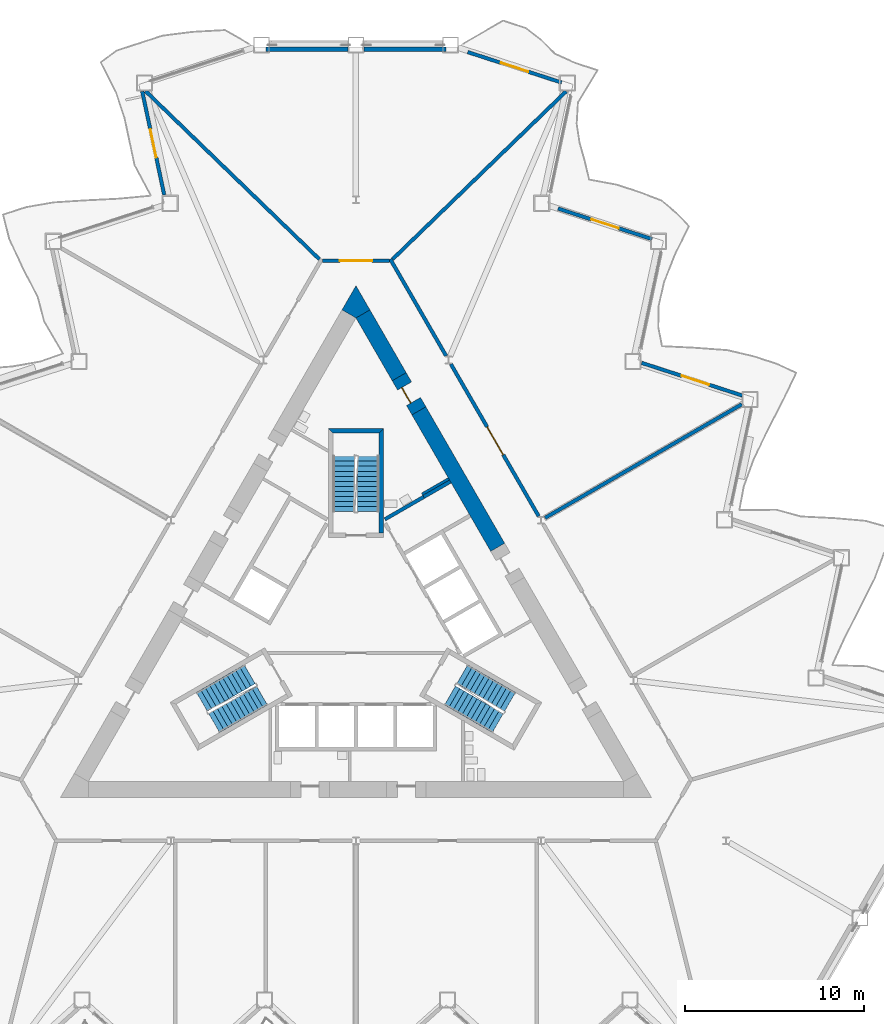
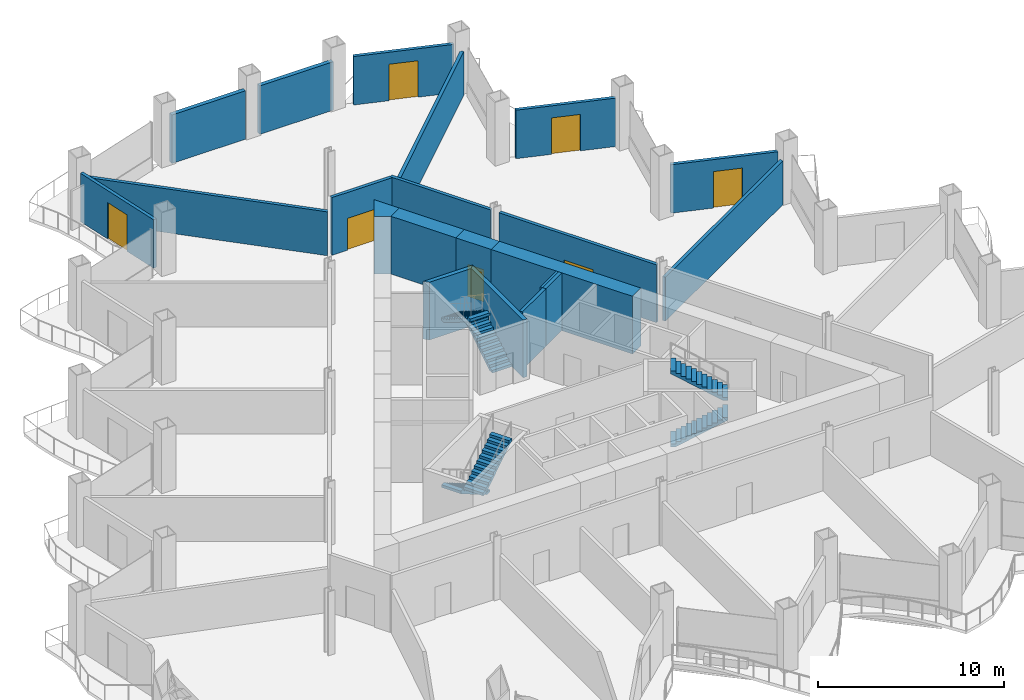
# One storey, part 13 of 21: 21 walls, 7 doors, 6 stair flights, 7 openings, 3 elements without a shape of their own.
"""IFC4 building model written with IfcOpenShell, lengths in metres."""

from ifc_helpers import new_model, si_unit, direction, frame, frame_2d, origin, place, context, subcontext, project, spatial, polyline, rectangle, outline, extrude, material, layer, layer_set, type_object, element, fill, aggregate, save


model = new_model("IFC4")

# Units and contexts
model_context = context("Model", 3, precision=1e-05, world=origin(), true_north=direction((0.0, 1.0)))
body_context = subcontext(model_context, "Body", "Model", "MODEL_VIEW")
ifc_project = project(units=[si_unit("LENGTHUNIT", "METRE"), si_unit("AREAUNIT", "SQUARE_METRE"), si_unit("VOLUMEUNIT", "CUBIC_METRE"), si_unit("PLANEANGLEUNIT", "RADIAN"), si_unit("MASSUNIT", "GRAM", prefix="KILO")], contexts=[model_context])

# Site, building, storey
site_placement = place(None, origin())
site = spatial("IfcSite", under=ifc_project, at=site_placement, CompositionType="ELEMENT")
building_placement = place(site_placement, origin())
building = spatial("IfcBuilding", under=site, at=building_placement, Name="Cormorant Prow Tower", CompositionType="ELEMENT")
storey_placement = place(building_placement, frame((0.0, 0.0, 133.199951171875)))
storey = spatial("IfcBuildingStorey", under=building, at=storey_placement, Name="L28", CompositionType="ELEMENT", Elevation=133.199951171875)

# Walls
ifc_material_1 = material(Name="Gypsum board partition")
ifc_layer_1 = layer(ifc_material_1, 0.14990234375)
ifc_layer_set_1 = layer_set([ifc_layer_1], Name="Gypsum board partition")
wall_type_1 = type_object("IfcWallType", Name="Core partition 150", PredefinedType="PARTITIONING", material=ifc_layer_set_1)
wall_1_placement = place(storey_placement, frame((3.693359375, 7.4150390625, 0.0), z_axis=(0.0, 0.0, 1.0), x_axis=(0.866024871741, 0.500000921525, 0.0)))
element("IfcWall", 1, at=wall_1_placement, inside=storey, type_object=wall_type_1, Name="Service room partition", PredefinedType="PARTITIONING", context=body_context, shape_type="SweptSolid", body=[
    extrude(rectangle(XDim=1.72021484375, YDim=0.14990234375, at=frame_2d((0.860107421875, 0.0))), origin(), (0.0, 0.0, 1.0), 3.800048828125),
])
ifc_material_2 = material(Name="Concrete 8000 psi", Category="concrete")
ifc_layer_2 = layer(ifc_material_2, 0.89990234375)
ifc_layer_set_2 = layer_set([ifc_layer_2], Name="Concrete 8000 psi")
wall_type_2 = type_object("IfcWallType", Name="Core shear wall 900", PredefinedType="SHEAR", material=ifc_layer_set_2)
wall_2_placement = place(storey_placement, frame((7.910400390625, 4.451416015625, 0.0), z_axis=(0.0, 0.0, 1.0), x_axis=(-0.500001962043, 0.866024270995, 0.0)))
element("IfcWall", 2, at=wall_2_placement, inside=storey, type_object=wall_type_2, Name="Core wall", PredefinedType="SHEAR", context=body_context, shape_type="SweptSolid", body=[
    extrude(rectangle(XDim=8.7958984375, YDim=0.89990234375, at=frame_2d((4.39794921875, 0.0))), origin(), (0.0, 0.0, 1.0), 3.800048828125),
])
wall_3_placement = place(storey_placement, frame((2.41259765625, 13.97412109375, 0.0), z_axis=(0.0, 0.0, 1.0), x_axis=(-0.500046330384, 0.865998653272, 0.0)))
element("IfcWall", 3, at=wall_3_placement, inside=storey, type_object=wall_type_2, Name="Core wall", PredefinedType="SHEAR", context=body_context, shape_type="SweptSolid", body=[
    extrude(rectangle(XDim=4.04541015625, YDim=0.89990234375, at=frame_2d((2.022705078125, 0.0))), origin(), (0.0, 0.0, 1.0), 3.800048828125),
])
wall_4_placement = place(storey_placement, origin())
element("IfcWall", 4, at=wall_4_placement, inside=storey, type_object=wall_type_2, Name="Core wall corner", PredefinedType="SHEAR", context=body_context, shape_type="SweptSolid", body=[
    extrude(outline(polyline([(-0.779296875, 17.70263671875), (0.0, 19.052490234375), (0.779296875, 17.70263671875), (0.0, 17.252685546875), (-0.779296875, 17.70263671875)])), origin(), (0.0, 0.0, 1.0), 3.800048828125),
])

# Wall, opening, door
wall_5_placement = place(storey_placement, frame((3.512451171875, 12.06884765625, 0.0), z_axis=(0.0, 0.0, 1.0), x_axis=(-0.499946605688, 0.86605622881, 0.0)))
wall_5 = element("IfcWall", 5, at=wall_5_placement, inside=storey, type_object=wall_type_2, Name="Core wall door panel", PredefinedType="SHEAR", context=body_context, shape_type="SweptSolid", body=[
    extrude(rectangle(XDim=2.199951171875, YDim=0.89990234375, at=frame_2d((1.10009765625, 0.0))), origin(), (0.0, 0.0, 1.0), 3.800048828125),
])
opening_1_placement = place(wall_5_placement, frame((0.60009765625, 0.0, 0.0)))
opening_1 = element("IfcOpeningElement", 6, at=opening_1_placement, cuts=wall_5, Name="Opening L28-C21", PredefinedType="OPENING", context=body_context, shape_type="SweptSolid", body=[
    extrude(rectangle(XDim=1.0, YDim=2.10009765625, at=frame_2d((0.5, 1.050048828125))), frame((0.0, 0.4599609375, 0.0), z_axis=(0.0, -1.0, 0.0), x_axis=(1.0, 0.0, 0.0)), (0.0, 0.0, 1.0), 0.919921875),
])
ifc_material_3 = material(Name="Painted steel", Category="steel")
door_type_1 = type_object("IfcDoorType", Name="Service door 1000x2100", OperationType="NOTDEFINED", PredefinedType="DOOR", material=ifc_material_3)
door_1_placement = place(opening_1_placement, origin())
door_1 = element("IfcDoor", 7, at=door_1_placement, inside=storey, type_object=door_type_1, Name="Core door, Toilets (men) L28", OperationType="SINGLE_SWING_LEFT", OverallHeight=2.10009765625, OverallWidth=1.0, PredefinedType="DOOR", context=body_context, shape_type="SweptSolid", body=[
    extrude(rectangle(XDim=1.0, YDim=2.10009765625, at=frame_2d((0.5, 1.050048828125))), frame((0.0, 0.205078125, 0.0), z_axis=(0.0, -1.0, 0.0), x_axis=(1.0, 0.0, 0.0)), (0.0, 0.0, 1.0), 0.050048828125),
])
fill(opening_1, door_1)

ifc_material_4 = material(Name="Gypsum board corridor wall")
ifc_layer_3 = layer(ifc_material_4, 0.199951171875)
ifc_layer_set_3 = layer_set([ifc_layer_3], Name="Gypsum board corridor wall")
wall_type_3 = type_object("IfcWallType", Name="Corridor wall 200", PredefinedType="PARTITIONING", material=ifc_layer_set_3)
wall_6_placement = place(storey_placement, frame((5.29541015625, 14.680419921875, 0.0), z_axis=(0.0, 0.0, 1.0), x_axis=(0.500012035596, -0.866018454918, 0.0)))
wall_6 = element("IfcWall", 8, at=wall_6_placement, inside=storey, type_object=wall_type_3, Name="Corridor wall", PredefinedType="PARTITIONING", context=body_context, shape_type="SweptSolid", body=[
    extrude(rectangle(XDim=9.803466796875, YDim=0.199951171875, at=frame_2d((4.90185546875, 0.0))), origin(), (0.0, 0.0, 1.0), 3.800048828125),
])
opening_2_placement = place(wall_6_placement, frame((4.0517578125, 0.0, 0.0)))
opening_2 = element("IfcOpeningElement", 9, at=opening_2_placement, cuts=wall_6, Name="Opening L28-F09", PredefinedType="OPENING", context=body_context, shape_type="SweptSolid", body=[
    extrude(rectangle(XDim=1.800048828125, YDim=2.10009765625, at=frame_2d((0.89990234375, 1.050048828125))), frame((0.0, 0.10986328125, 0.0), z_axis=(0.0, -1.0, 0.0), x_axis=(1.0, 0.0, 0.0)), (0.0, 0.0, 1.0), 0.219970703125),
])
ifc_material_5 = material(Name="Timber door leaf", Category="wood")
door_type_2 = type_object("IfcDoorType", Name="Double door 1800x2100", OperationType="DOUBLE_DOOR_SINGLE_SWING", PredefinedType="DOOR", material=ifc_material_5)
door_2_placement = place(opening_2_placement, origin())
door_2 = element("IfcDoor", 10, at=door_2_placement, inside=storey, type_object=door_type_2, Name="Trading room door", OperationType="DOUBLE_DOOR_SINGLE_SWING", OverallHeight=2.10009765625, OverallWidth=1.800048828125, PredefinedType="DOOR", context=body_context, shape_type="SweptSolid", body=[
    extrude(rectangle(XDim=1.800048828125, YDim=2.10009765625, at=frame_2d((0.89990234375, 1.050048828125))), frame((0.0, 0.02490234375, 0.0), z_axis=(0.0, -1.0, 0.0), x_axis=(1.0, 0.0, 0.0)), (0.0, 0.0, 1.0), 0.050048828125),
])
fill(opening_2, door_2)

# Wall
wall_7_placement = place(storey_placement, frame((1.9130859375, 20.539306640625, 0.0), z_axis=(0.0, 0.0, 1.0), x_axis=(0.499980978912, -0.866036385336, 0.0)))
element("IfcWall", 11, at=wall_7_placement, inside=storey, type_object=wall_type_3, Name="Corridor wall", PredefinedType="PARTITIONING", context=body_context, shape_type="SweptSolid", body=[
    extrude(rectangle(XDim=6.239990234375, YDim=0.199951171875, at=frame_2d((3.1201171875, 0.0))), origin(), (0.0, 0.0, 1.0), 3.800048828125),
])

# Wall, opening, door
wall_8_placement = place(storey_placement, frame((-1.863037109375, 20.45263671875, 0.0), z_axis=(0.0, 0.0, 1.0), x_axis=(1.0, 0.0, 0.0)))
wall_8 = element("IfcWall", 12, at=wall_8_placement, inside=storey, type_object=wall_type_3, Name="Corridor wall", PredefinedType="PARTITIONING", context=body_context, shape_type="SweptSolid", body=[
    extrude(rectangle(XDim=3.72607421875, YDim=0.199951171875, at=frame_2d((1.863037109375, 0.0))), origin(), (0.0, 0.0, 1.0), 3.800048828125),
])
opening_3_placement = place(wall_8_placement, frame((0.962890625, 0.0, 0.0)))
opening_3 = element("IfcOpeningElement", 13, at=opening_3_placement, cuts=wall_8, Name="Opening L28-F10", PredefinedType="OPENING", context=body_context, shape_type="SweptSolid", body=[
    extrude(rectangle(XDim=1.800048828125, YDim=2.10009765625, at=frame_2d((0.89990234375, 1.050048828125))), frame((0.0, 0.10986328125, 0.0), z_axis=(0.0, -1.0, 0.0), x_axis=(1.0, 0.0, 0.0)), (0.0, 0.0, 1.0), 0.219970703125),
])
door_3_placement = place(opening_3_placement, origin())
door_3 = element("IfcDoor", 14, at=door_3_placement, inside=storey, type_object=door_type_2, Name="Open-plan office door", OperationType="DOUBLE_DOOR_SINGLE_SWING", OverallHeight=2.10009765625, OverallWidth=1.800048828125, PredefinedType="DOOR", context=body_context, shape_type="SweptSolid", body=[
    extrude(rectangle(XDim=1.800048828125, YDim=2.10009765625, at=frame_2d((0.89990234375, 1.050048828125))), frame((0.0, 0.02490234375, 0.0), z_axis=(0.0, -1.0, 0.0), x_axis=(1.0, 0.0, 0.0)), (0.0, 0.0, 1.0), 0.050048828125),
])
fill(opening_3, door_3)

# Walls
ifc_material_6 = material(Name="Gypsum board demising wall")
ifc_layer_4 = layer(ifc_material_6, 0.199951171875)
ifc_layer_set_4 = layer_set([ifc_layer_4], Name="Gypsum board demising wall")
wall_type_4 = type_object("IfcWallType", Name="Demising wall 200", PredefinedType="PARTITIONING", material=ifc_layer_set_4)
for number, where, z_axis, x_axis, name in (
    (15, (-11.737060546875, 29.90625, 0.0), (0.0, 0.0, 1.0), (0.718783474817, -0.695234001132, 0.0), "Demising wall"),
    (16, (2.034912109375, 20.52197265625, 0.0), (0.0, 0.0, 1.0), (0.718783474817, 0.695234001132, 0.0), "Demising wall"),
):
    element("IfcWall", number, at=place(storey_placement, frame(where, z_axis=z_axis, x_axis=x_axis)), inside=storey, type_object=wall_type_4, Name=name, PredefinedType="PARTITIONING", context=body_context, shape_type="SweptSolid", body=[
        extrude(rectangle(XDim=13.498046875, YDim=0.199951171875, at=frame_2d((6.7490234375, 0.0))), origin(), (0.0, 0.0, 1.0), 2.88525390625),
    ])
wall_9_placement = place(storey_placement, frame((10.555908203125, 6.094482421875, 0.0), z_axis=(0.0, 0.0, 1.0), x_axis=(0.86602461759, 0.500001361726, 0.0)))
element("IfcWall", 17, at=wall_9_placement, inside=storey, type_object=wall_type_4, Name="Demising wall", PredefinedType="PARTITIONING", context=body_context, shape_type="SweptSolid", body=[
    extrude(rectangle(XDim=12.67919921875, YDim=0.199951171875, at=frame_2d((6.339599609375, 0.0))), origin(), (0.0, 0.0, 1.0), 2.88525390625),
])
ifc_material_7 = material(Name="Concrete 8000 psi", Category="concrete")
ifc_layer_5 = layer(ifc_material_7, 0.199951171875)
ifc_layer_set_5 = layer_set([ifc_layer_5], Name="Concrete 8000 psi")
wall_type_5 = type_object("IfcWallType", Name="Lift shaft wall 200", PredefinedType="SHEAR", material=ifc_layer_set_5)
wall_10_placement = place(storey_placement, origin())
element("IfcWall", 18, at=wall_10_placement, inside=storey, type_object=wall_type_5, Name="Lift shaft walls, ENE block", PredefinedType="SHEAR", context=body_context, shape_type="SweptSolid", body=[
    extrude(outline(polyline([(1.560546875, 6.09716796875), (3.730712890625, 7.35009765625), (3.830810546875, 7.177001953125), (1.660400390625, 5.923828125), (1.560546875, 6.09716796875)])), origin(), (0.0, 0.0, 1.0), 3.800048828125),
])
wall_11_placement = place(storey_placement, frame((3.78076171875, 7.263427734375, 0.0), z_axis=(0.0, 0.0, 1.0), x_axis=(0.865963414263, 0.500107353632, 0.0)))
element("IfcWall", 19, at=wall_11_placement, inside=storey, type_object=wall_type_5, Name="Store side wall", PredefinedType="SHEAR", context=body_context, shape_type="SweptSolid", body=[
    extrude(rectangle(XDim=1.72021484375, YDim=0.199951171875, at=frame_2d((0.860107421875, 0.0))), origin(), (0.0, 0.0, 1.0), 3.800048828125),
])
ifc_material_8 = material(Name="Concrete 8000 psi", Category="concrete")
ifc_layer_6 = layer(ifc_material_8, 0.25)
ifc_layer_set_6 = layer_set([ifc_layer_6], Name="Concrete 8000 psi")
wall_type_6 = type_object("IfcWallType", Name="Stair wall 250", PredefinedType="SHEAR", material=ifc_layer_set_6)
wall_12_placement = place(storey_placement, origin())
element("IfcWall", 20, at=wall_12_placement, inside=storey, type_object=wall_type_6, Name="Stair ST3 enclosure wall (flank)", PredefinedType="SHEAR", context=body_context, shape_type="SweptSolid", body=[
    extrude(outline(polyline([(1.5439453125, 5.23681640625), (1.5439453125, 11.0869140625), (1.2939453125, 10.8369140625), (1.2939453125, 5.23681640625), (1.5439453125, 5.23681640625)])), origin(), (0.0, 0.0, 1.0), 3.800048828125),
])
wall_13_placement = place(storey_placement, origin())
element("IfcWall", 21, at=wall_13_placement, inside=storey, type_object=wall_type_6, Name="Stair ST3 enclosure wall (end)", PredefinedType="SHEAR", context=body_context, shape_type="SweptSolid", body=[
    extrude(outline(polyline([(1.5439453125, 11.0869140625), (-1.5439453125, 11.0869140625), (-1.2939453125, 10.8369140625), (1.2939453125, 10.8369140625), (1.5439453125, 11.0869140625)])), origin(), (0.0, 0.0, 1.0), 3.800048828125),
])
ifc_material_9 = material(Name="Terracotta", Category="masonry")
ifc_layer_7 = layer(ifc_material_9, 0.25)
ifc_layer_set_7 = layer_set([ifc_layer_7], Name="Terracotta")
wall_type_7 = type_object("IfcWallType", Name="Terracotta bay wall 250", PredefinedType="SOLIDWALL", material=ifc_layer_set_7)
for number, where, z_axis, x_axis, name in (
    (22, (5.025146484375, 32.261474609375, 0.0), (0.0, 0.0, 1.0), (-1.0, 0.0, 0.0), "Terracotta bay wall N00"),
    (23, (-0.449951171875, 32.261474609375, 0.0), (0.0, 0.0, 1.0), (-1.0, 0.0, 0.0), "Terracotta bay wall N01"),
):
    element("IfcWall", number, at=place(storey_placement, frame(where, z_axis=z_axis, x_axis=x_axis)), inside=storey, type_object=wall_type_7, Name=name, PredefinedType="SOLIDWALL", context=body_context, shape_type="SweptSolid", body=[
        extrude(rectangle(XDim=4.5751953125, YDim=0.25, at=frame_2d((2.28759765625, 0.0))), origin(), (0.0, 0.0, 1.0), 3.18896484375),
    ])

# Wall, opening, door
ifc_material_10 = material(Name="Terracotta", Category="masonry")
ifc_layer_8 = layer(ifc_material_10, 0.199951171875)
ifc_layer_set_8 = layer_set([ifc_layer_8], Name="Terracotta")
wall_type_8 = type_object("IfcWallType", Name="Terracotta jamb wall 200", PredefinedType="SOLIDWALL", material=ifc_layer_set_8)
wall_14_placement = place(storey_placement, frame((21.566650390625, 12.919921875, 0.0), z_axis=(0.0, 0.0, 1.0), x_axis=(-0.951051366173, 0.309032844373, 0.0)))
wall_14 = element("IfcWall", 24, at=wall_14_placement, inside=storey, type_object=wall_type_8, Name="Terracotta jamb wall ENE05", PredefinedType="SOLIDWALL", context=body_context, shape_type="SweptSolid", body=[
    extrude(rectangle(XDim=5.91162109375, YDim=0.199951171875, at=frame_2d((2.955810546875, 0.0))), origin(), (0.0, 0.0, 1.0), 3.18896484375),
])
opening_4_placement = place(wall_14_placement, frame((1.957275390625, 0.0, 0.0)))
opening_4 = element("IfcOpeningElement", 25, at=opening_4_placement, cuts=wall_14, Name="Opening ED28.08", PredefinedType="OPENING", context=body_context, shape_type="SweptSolid", body=[
    extrude(rectangle(XDim=1.60009765625, YDim=2.39990234375, at=frame_2d((0.800048828125, 1.199951171875))), frame((0.0, 0.10986328125, 0.0), z_axis=(0.0, -1.0, 0.0), x_axis=(1.0, 0.0, 0.0)), (0.0, 0.0, 1.0), 0.219970703125),
])
ifc_material_11 = material(Name="Aluminium 6063-T6", Category="aluminium")
door_type_3 = type_object("IfcDoorType", Name="Balcony door 1600x2400", OperationType="DOUBLE_DOOR_SINGLE_SWING", PredefinedType="DOOR", material=ifc_material_11)
door_4_placement = place(opening_4_placement, origin())
door_4 = element("IfcDoor", 26, at=door_4_placement, inside=storey, type_object=door_type_3, Name="Balcony door ENE05 ED28.08", OperationType="DOUBLE_DOOR_SINGLE_SWING", OverallHeight=2.39990234375, OverallWidth=1.60009765625, PredefinedType="DOOR", context=body_context, shape_type="SweptSolid", body=[
    extrude(rectangle(XDim=1.60009765625, YDim=2.39990234375, at=frame_2d((0.800048828125, 1.199951171875))), frame((0.0, 0.02490234375, 0.0), z_axis=(0.0, -1.0, 0.0), x_axis=(1.0, 0.0, 0.0)), (0.0, 0.0, 1.0), 0.050048828125),
])
fill(opening_4, door_4)

wall_15_placement = place(storey_placement, frame((16.523193359375, 21.6552734375, 0.0), z_axis=(0.0, 0.0, 1.0), x_axis=(-0.951055539332, 0.309020001142, 0.0)))
wall_15 = element("IfcWall", 27, at=wall_15_placement, inside=storey, type_object=wall_type_8, Name="Terracotta jamb wall ENE07", PredefinedType="SOLIDWALL", context=body_context, shape_type="SweptSolid", body=[
    extrude(rectangle(XDim=5.5146484375, YDim=0.199951171875, at=frame_2d((2.75732421875, 0.0))), origin(), (0.0, 0.0, 1.0), 3.18896484375),
])
opening_5_placement = place(wall_15_placement, frame((1.957275390625, 0.0, 0.0)))
opening_5 = element("IfcOpeningElement", 28, at=opening_5_placement, cuts=wall_15, Name="Opening ED28.09", PredefinedType="OPENING", context=body_context, shape_type="SweptSolid", body=[
    extrude(rectangle(XDim=1.60009765625, YDim=2.39990234375, at=frame_2d((0.800048828125, 1.199951171875))), frame((0.0, 0.10986328125, 0.0), z_axis=(0.0, -1.0, 0.0), x_axis=(1.0, 0.0, 0.0)), (0.0, 0.0, 1.0), 0.219970703125),
])
door_5_placement = place(opening_5_placement, origin())
door_5 = element("IfcDoor", 29, at=door_5_placement, inside=storey, type_object=door_type_3, Name="Balcony door ENE07 ED28.09", OperationType="DOUBLE_DOOR_SINGLE_SWING", OverallHeight=2.39990234375, OverallWidth=1.60009765625, PredefinedType="DOOR", context=body_context, shape_type="SweptSolid", body=[
    extrude(rectangle(XDim=1.60009765625, YDim=2.39990234375, at=frame_2d((0.800048828125, 1.199951171875))), frame((0.0, 0.02490234375, 0.0), z_axis=(0.0, -1.0, 0.0), x_axis=(1.0, 0.0, 0.0)), (0.0, 0.0, 1.0), 0.050048828125),
])
fill(opening_5, door_5)

wall_16_placement = place(storey_placement, frame((11.479736328125, 30.390869140625, 0.0), z_axis=(0.0, 0.0, 1.0), x_axis=(-0.951055539332, 0.309020001142, 0.0)))
wall_16 = element("IfcWall", 30, at=wall_16_placement, inside=storey, type_object=wall_type_8, Name="Terracotta jamb wall ENE09", PredefinedType="SOLIDWALL", context=body_context, shape_type="SweptSolid", body=[
    extrude(rectangle(XDim=5.5146484375, YDim=0.199951171875, at=frame_2d((2.75732421875, 0.0))), origin(), (0.0, 0.0, 1.0), 3.18896484375),
])
opening_6_placement = place(wall_16_placement, frame((1.957275390625, 0.0, 0.0)))
opening_6 = element("IfcOpeningElement", 31, at=opening_6_placement, cuts=wall_16, Name="Opening ED28.10", PredefinedType="OPENING", context=body_context, shape_type="SweptSolid", body=[
    extrude(rectangle(XDim=1.60009765625, YDim=2.39990234375, at=frame_2d((0.800048828125, 1.199951171875))), frame((0.0, 0.10986328125, 0.0), z_axis=(0.0, -1.0, 0.0), x_axis=(1.0, 0.0, 0.0)), (0.0, 0.0, 1.0), 0.219970703125),
])
door_6_placement = place(opening_6_placement, origin())
door_6 = element("IfcDoor", 32, at=door_6_placement, inside=storey, type_object=door_type_3, Name="Balcony door ENE09 ED28.10", OperationType="DOUBLE_DOOR_SINGLE_SWING", OverallHeight=2.39990234375, OverallWidth=1.60009765625, PredefinedType="DOOR", context=body_context, shape_type="SweptSolid", body=[
    extrude(rectangle(XDim=1.60009765625, YDim=2.39990234375, at=frame_2d((0.800048828125, 1.199951171875))), frame((0.0, 0.02490234375, 0.0), z_axis=(0.0, -1.0, 0.0), x_axis=(1.0, 0.0, 0.0)), (0.0, 0.0, 1.0), 0.050048828125),
])
fill(opening_6, door_6)

wall_17_placement = place(storey_placement, frame((-11.930419921875, 29.899658203125, 0.0), z_axis=(0.0, 0.0, 1.0), x_axis=(0.207917562075, -0.978146352741, 0.0)))
wall_17 = element("IfcWall", 33, at=wall_17_placement, inside=storey, type_object=wall_type_8, Name="Terracotta jamb wall WNW01", PredefinedType="SOLIDWALL", context=body_context, shape_type="SweptSolid", body=[
    extrude(rectangle(XDim=5.90869140625, YDim=0.199951171875, at=frame_2d((2.954345703125, 0.0))), origin(), (0.0, 0.0, 1.0), 3.18896484375),
])
opening_7_placement = place(wall_17_placement, frame((2.173583984375, 0.0, 0.0)))
opening_7 = element("IfcOpeningElement", 34, at=opening_7_placement, cuts=wall_17, Name="Opening ED28.11", PredefinedType="OPENING", context=body_context, shape_type="SweptSolid", body=[
    extrude(rectangle(XDim=1.60009765625, YDim=2.39990234375, at=frame_2d((0.800048828125, 1.199951171875))), frame((0.0, 0.10986328125, 0.0), z_axis=(0.0, -1.0, 0.0), x_axis=(1.0, 0.0, 0.0)), (0.0, 0.0, 1.0), 0.219970703125),
])
door_7_placement = place(opening_7_placement, origin())
door_7 = element("IfcDoor", 35, at=door_7_placement, inside=storey, type_object=door_type_3, Name="Balcony door WNW01 ED28.11", OperationType="DOUBLE_DOOR_SINGLE_SWING", OverallHeight=2.39990234375, OverallWidth=1.60009765625, PredefinedType="DOOR", context=body_context, shape_type="SweptSolid", body=[
    extrude(rectangle(XDim=1.60009765625, YDim=2.39990234375, at=frame_2d((0.800048828125, 1.199951171875))), frame((0.0, 0.02490234375, 0.0), z_axis=(0.0, -1.0, 0.0), x_axis=(1.0, 0.0, 0.0)), (0.0, 0.0, 1.0), 0.050048828125),
])
fill(opening_7, door_7)

# Stair, stair flights
ifc_material_12 = material(Name="Exit stair 24 risers")
stair_type = type_object("IfcStairType", Name="Exit stair 24 risers", PredefinedType="HALF_TURN_STAIR", material=ifc_material_12)
stair_1_placement = place(storey_placement, origin())
stair_1 = element("IfcStair", 36, at=stair_1_placement, inside=storey, type_object=stair_type, Name="L28 Exit stair ST1", PredefinedType="HALF_TURN_STAIR")
ifc_material_13 = material(Name="Concrete 5000 psi", Category="concrete")
stair_flight_type = type_object("IfcStairFlightType", Name="Stair flight 1219", PredefinedType="STRAIGHT", material=ifc_material_13)
stair_flight_1_placement = place(storey_placement, frame((-5.93310546875, -2.635009765625, 0.0), z_axis=(0.0, 0.0, 1.0), x_axis=(-0.866025403784, -0.5, 0.0)))
stair_flight_1 = element("IfcStairFlight", 37, at=stair_flight_1_placement, type_object=stair_flight_type, Name="ST1 flight 1", NumberOfRisers=12, NumberOfTreads=11, PredefinedType="STRAIGHT", RiserHeight=0.175, TreadLength=0.28, context=body_context, shape_type="SweptSolid", body=[
    extrude(outline(polyline([(0.0, 0.0), (0.0, 0.175048828125), (0.280029296875, 0.175048828125), (0.280029296875, 0.35009765625), (0.56005859375, 0.35009765625), (0.56005859375, 0.52490234375), (0.840087890625, 0.52490234375), (0.840087890625, 0.699951171875), (1.1201171875, 0.699951171875), (1.1201171875, 0.875), (1.39990234375, 0.875), (1.39990234375, 1.050048828125), (1.679931640625, 1.050048828125), (1.679931640625, 1.22509765625), (1.9599609375, 1.22509765625), (1.9599609375, 1.39990234375), (2.239990234375, 1.39990234375), (2.239990234375, 1.574951171875), (2.52001953125, 1.574951171875), (2.52001953125, 1.75), (2.800048828125, 1.75), (2.800048828125, 1.925048828125), (3.080078125, 1.925048828125), (3.080078125, 2.10009765625), (3.080078125, 1.748291015625), (0.28271484375, 0.0), (0.0, 0.0)])), frame((0.0, 0.609375, 0.0), z_axis=(0.0, -1.0, 0.0), x_axis=(1.0, 0.0, 0.0)), (0.0, 0.0, 1.0), 1.218994140625),
])
stair_flight_2_placement = place(storey_placement, frame((-7.916015625, -5.360595703125, 2.10009765625), z_axis=(0.0, 0.0, 1.0), x_axis=(0.866025403784, 0.5, 0.0)))
stair_flight_2 = element("IfcStairFlight", 38, at=stair_flight_2_placement, type_object=stair_flight_type, Name="ST1 flight 2", NumberOfRisers=12, NumberOfTreads=11, PredefinedType="STRAIGHT", RiserHeight=0.175, TreadLength=0.28, context=body_context, shape_type="SweptSolid", body=[
    extrude(outline(polyline([(0.0, 0.0), (0.0, 0.175048828125), (0.280029296875, 0.175048828125), (0.280029296875, 0.35009765625), (0.56005859375, 0.35009765625), (0.56005859375, 0.52490234375), (0.840087890625, 0.52490234375), (0.840087890625, 0.699951171875), (1.1201171875, 0.699951171875), (1.1201171875, 0.875), (1.39990234375, 0.875), (1.39990234375, 1.050048828125), (1.679931640625, 1.050048828125), (1.679931640625, 1.22509765625), (1.9599609375, 1.22509765625), (1.9599609375, 1.39990234375), (2.239990234375, 1.39990234375), (2.239990234375, 1.574951171875), (2.52001953125, 1.574951171875), (2.52001953125, 1.75), (2.800048828125, 1.75), (2.800048828125, 1.925048828125), (3.080078125, 1.925048828125), (3.080078125, 2.10009765625), (3.080078125, 1.748291015625), (0.28271484375, 0.0), (0.0, 0.0)])), frame((0.0, 0.609375, 0.0), z_axis=(0.0, -1.0, 0.0), x_axis=(1.0, 0.0, 0.0)), (0.0, 0.0, 1.0), 1.218994140625),
])
aggregate(stair_1, [stair_flight_1, stair_flight_2])

stair_2_placement = place(storey_placement, origin())
stair_2 = element("IfcStair", 39, at=stair_2_placement, inside=storey, type_object=stair_type, Name="L28 Exit stair ST2", PredefinedType="HALF_TURN_STAIR")
stair_flight_3_placement = place(storey_placement, frame((5.24853515625, -3.82080078125, 0.0), z_axis=(0.0, 0.0, 1.0), x_axis=(0.866025403784, -0.5, 0.0)))
stair_flight_3 = element("IfcStairFlight", 40, at=stair_flight_3_placement, type_object=stair_flight_type, Name="ST2 flight 1", NumberOfRisers=12, NumberOfTreads=11, PredefinedType="STRAIGHT", RiserHeight=0.175, TreadLength=0.28, context=body_context, shape_type="SweptSolid", body=[
    extrude(outline(polyline([(0.0, 0.0), (0.0, 0.175048828125), (0.280029296875, 0.175048828125), (0.280029296875, 0.35009765625), (0.56005859375, 0.35009765625), (0.56005859375, 0.52490234375), (0.840087890625, 0.52490234375), (0.840087890625, 0.699951171875), (1.1201171875, 0.699951171875), (1.1201171875, 0.875), (1.39990234375, 0.875), (1.39990234375, 1.050048828125), (1.679931640625, 1.050048828125), (1.679931640625, 1.22509765625), (1.9599609375, 1.22509765625), (1.9599609375, 1.39990234375), (2.239990234375, 1.39990234375), (2.239990234375, 1.574951171875), (2.52001953125, 1.574951171875), (2.52001953125, 1.75), (2.800048828125, 1.75), (2.800048828125, 1.925048828125), (3.080078125, 1.925048828125), (3.080078125, 2.10009765625), (3.080078125, 1.748291015625), (0.28271484375, 0.0), (0.0, 0.0)])), frame((0.0, 0.609375, 0.0), z_axis=(0.0, -1.0, 0.0), x_axis=(1.0, 0.0, 0.0)), (0.0, 0.0, 1.0), 1.218994140625),
])
stair_flight_4_placement = place(storey_placement, frame((8.6005859375, -4.175048828125, 2.10009765625), z_axis=(0.0, 0.0, 1.0), x_axis=(-0.866025403784, 0.5, 0.0)))
stair_flight_4 = element("IfcStairFlight", 41, at=stair_flight_4_placement, type_object=stair_flight_type, Name="ST2 flight 2", NumberOfRisers=12, NumberOfTreads=11, PredefinedType="STRAIGHT", RiserHeight=0.175, TreadLength=0.28, context=body_context, shape_type="SweptSolid", body=[
    extrude(outline(polyline([(0.0, 0.0), (0.0, 0.175048828125), (0.280029296875, 0.175048828125), (0.280029296875, 0.35009765625), (0.56005859375, 0.35009765625), (0.56005859375, 0.52490234375), (0.840087890625, 0.52490234375), (0.840087890625, 0.699951171875), (1.1201171875, 0.699951171875), (1.1201171875, 0.875), (1.39990234375, 0.875), (1.39990234375, 1.050048828125), (1.679931640625, 1.050048828125), (1.679931640625, 1.22509765625), (1.9599609375, 1.22509765625), (1.9599609375, 1.39990234375), (2.239990234375, 1.39990234375), (2.239990234375, 1.574951171875), (2.52001953125, 1.574951171875), (2.52001953125, 1.75), (2.800048828125, 1.75), (2.800048828125, 1.925048828125), (3.080078125, 1.925048828125), (3.080078125, 2.10009765625), (3.080078125, 1.748291015625), (0.28271484375, 0.0), (0.0, 0.0)])), frame((0.0, 0.609375, 0.0), z_axis=(0.0, -1.0, 0.0), x_axis=(1.0, 0.0, 0.0)), (0.0, 0.0, 1.0), 1.218994140625),
])
aggregate(stair_2, [stair_flight_3, stair_flight_4])

stair_3_placement = place(storey_placement, origin())
stair_3 = element("IfcStair", 42, at=stair_3_placement, inside=storey, type_object=stair_type, Name="L28 Exit stair ST3", PredefinedType="HALF_TURN_STAIR")
stair_flight_5_placement = place(storey_placement, frame((0.6845703125, 6.455810546875, 0.0), z_axis=(0.0, 0.0, 1.0), x_axis=(0.0, 1.0, 0.0)))
stair_flight_5 = element("IfcStairFlight", 43, at=stair_flight_5_placement, type_object=stair_flight_type, Name="ST3 flight 1", NumberOfRisers=12, NumberOfTreads=11, PredefinedType="STRAIGHT", RiserHeight=0.175, TreadLength=0.28, context=body_context, shape_type="SweptSolid", body=[
    extrude(outline(polyline([(0.0, 0.0), (0.0, 0.175048828125), (0.280029296875, 0.175048828125), (0.280029296875, 0.35009765625), (0.56005859375, 0.35009765625), (0.56005859375, 0.52490234375), (0.840087890625, 0.52490234375), (0.840087890625, 0.699951171875), (1.1201171875, 0.699951171875), (1.1201171875, 0.875), (1.39990234375, 0.875), (1.39990234375, 1.050048828125), (1.679931640625, 1.050048828125), (1.679931640625, 1.22509765625), (1.9599609375, 1.22509765625), (1.9599609375, 1.39990234375), (2.239990234375, 1.39990234375), (2.239990234375, 1.574951171875), (2.52001953125, 1.574951171875), (2.52001953125, 1.75), (2.800048828125, 1.75), (2.800048828125, 1.925048828125), (3.080078125, 1.925048828125), (3.080078125, 2.10009765625), (3.080078125, 1.748291015625), (0.28271484375, 0.0), (0.0, 0.0)])), frame((0.0, 0.609375, 0.0), z_axis=(0.0, -1.0, 0.0), x_axis=(1.0, 0.0, 0.0)), (0.0, 0.0, 1.0), 1.218994140625),
])
stair_flight_6_placement = place(storey_placement, frame((-0.6845703125, 9.535888671875, 2.10009765625), z_axis=(0.0, 0.0, 1.0), x_axis=(0.0, -1.0, 0.0)))
stair_flight_6 = element("IfcStairFlight", 44, at=stair_flight_6_placement, type_object=stair_flight_type, Name="ST3 flight 2", NumberOfRisers=12, NumberOfTreads=11, PredefinedType="STRAIGHT", RiserHeight=0.175, TreadLength=0.28, context=body_context, shape_type="SweptSolid", body=[
    extrude(outline(polyline([(0.0, 0.0), (0.0, 0.175048828125), (0.280029296875, 0.175048828125), (0.280029296875, 0.35009765625), (0.56005859375, 0.35009765625), (0.56005859375, 0.52490234375), (0.840087890625, 0.52490234375), (0.840087890625, 0.699951171875), (1.1201171875, 0.699951171875), (1.1201171875, 0.875), (1.39990234375, 0.875), (1.39990234375, 1.050048828125), (1.679931640625, 1.050048828125), (1.679931640625, 1.22509765625), (1.9599609375, 1.22509765625), (1.9599609375, 1.39990234375), (2.239990234375, 1.39990234375), (2.239990234375, 1.574951171875), (2.52001953125, 1.574951171875), (2.52001953125, 1.75), (2.800048828125, 1.75), (2.800048828125, 1.925048828125), (3.080078125, 1.925048828125), (3.080078125, 2.10009765625), (3.080078125, 1.748291015625), (0.28271484375, 0.0), (0.0, 0.0)])), frame((0.0, 0.609375, 0.0), z_axis=(0.0, -1.0, 0.0), x_axis=(1.0, 0.0, 0.0)), (0.0, 0.0, 1.0), 1.218994140625),
])
aggregate(stair_3, [stair_flight_5, stair_flight_6])

save(model, "model.ifc")
